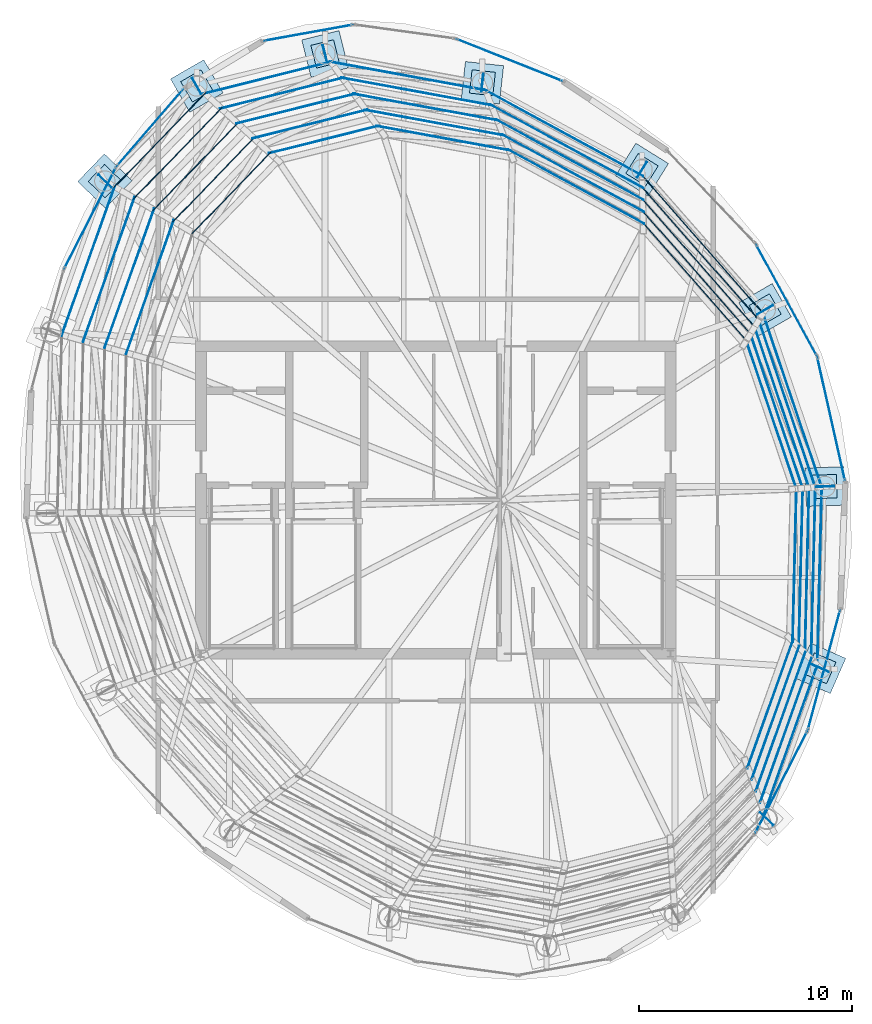
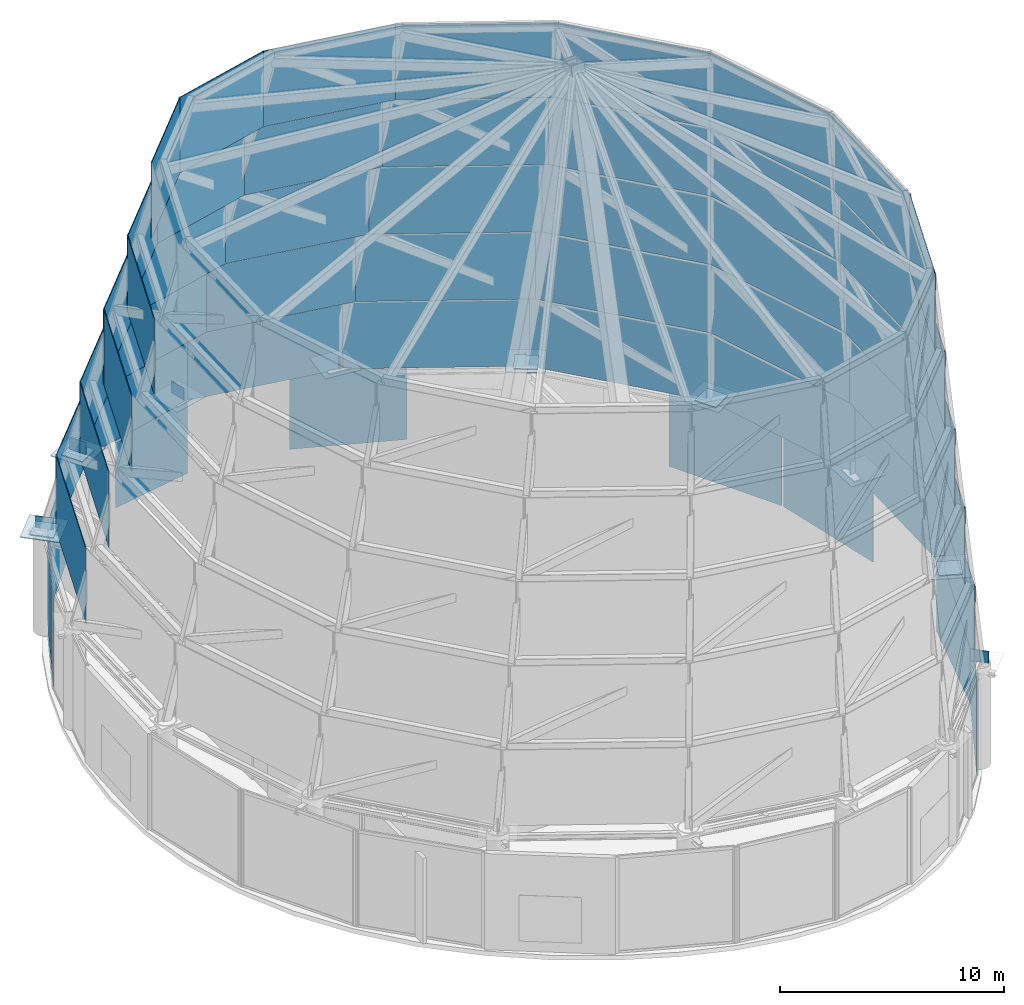
# One storey, part 37 of 40: 77 plates, 8 elements without a shape of their own.
"""IFC4 building model written with IfcOpenShell, lengths in metres."""

from ifc_helpers import new_model, si_unit, direction, frame, origin, origin_2d, place, context, subcontext, project, spatial, rectangle, extrude, material, layer, layer_set, type_object, element, aggregate, save


model = new_model("IFC4")

# Units and contexts
model_context = context("Model", 3, precision=1e-05, world=origin(), true_north=direction((0.0, 1.0)))
body_context = subcontext(model_context, "Body", "Model", "MODEL_VIEW")
ifc_project = project(units=[si_unit("LENGTHUNIT", "METRE"), si_unit("AREAUNIT", "SQUARE_METRE"), si_unit("VOLUMEUNIT", "CUBIC_METRE"), si_unit("PLANEANGLEUNIT", "RADIAN"), si_unit("MASSUNIT", "GRAM", prefix="KILO")], contexts=[model_context])

# Site, building, storey
site_placement = place(None, origin())
site = spatial("IfcSite", under=ifc_project, at=site_placement, CompositionType="ELEMENT")
building_placement = place(site_placement, origin())
building = spatial("IfcBuilding", under=site, at=building_placement, Name="Bramvorn Convention Spire", CompositionType="ELEMENT")
storey_placement = place(building_placement, frame((0.0, 0.0, 312.5)))
storey = spatial("IfcBuildingStorey", under=building, at=storey_placement, Name="L79", CompositionType="ELEMENT", Elevation=312.5)

# Plates
ifc_material_1 = material(Name="Steel CSA G40.21 Grade 350 (350W)", Category="steel")
ifc_layer_1 = layer(ifc_material_1, 0.044921875)
ifc_layer_set_1 = layer_set([ifc_layer_1], Name="Steel CSA G40.21 Grade 350 (350W) - PLT-NODE-CAP-45")
plate_type_1 = type_object("IfcPlateType", Name="PLT-NODE-CAP-45", PredefinedType="SHEET", material=ifc_layer_set_1)
for number, where, z_axis, x_axis, name in (
    (1, (56.023681640625, 18.116455078125, 5.5), (0.0, 0.0, 1.0), (0.91619221429, -0.400739100257, 0.0), "L79 CFT mega-column MC03 transition cap plate"),
    (2, (56.234619140625, 26.62939453125, 5.5), (0.0, 0.0, 1.0), (0.999404638135, 0.034501728572, 0.0), "L79 CFT mega-column MC04 transition cap plate"),
    (3, (53.4326171875, 34.909912109375, 5.5), (0.0, 0.0, 1.0), (0.86602578684, 0.499999336527, 0.0), "L79 CFT mega-column MC05 transition cap plate"),
    (4, (47.662353515625, 41.476806640625, 5.5), (0.0, 0.0, 1.0), (0.529581099859, 0.848259310984, 0.0), "L79 CFT mega-column MC06 transition cap plate"),
    (5, (40.1845703125, 45.55078125, 5.5), (0.0, 0.0, 1.0), (0.111043540524, 0.993815542295, 0.0), "L79 CFT mega-column MC07 transition cap plate"),
    (6, (32.8115234375, 46.90087890625, 5.5), (0.0, 0.0, 1.0), (-0.24093026589, 0.970542429252, 0.0), "L79 CFT mega-column MC08 transition cap plate"),
    (7, (26.800048828125, 45.39892578125, 5.5), (0.0, 0.0, 1.0), (-0.499999401612, 0.866025749263, 0.0), "L79 CFT mega-column MC09 transition cap plate"),
    (8, (22.49365234375, 40.94384765625, 5.5), (0.0, 0.0, 1.0), (-0.720048445725, 0.693923796832, 0.0), "L79 CFT mega-column MC10 transition cap plate"),
):
    element("IfcPlate", number, at=place(storey_placement, frame(where, z_axis=z_axis, x_axis=x_axis)), inside=storey, type_object=plate_type_1, Name=name, PredefinedType="SHEET", context=body_context, shape_type="SweptSolid", body=[
        extrude(rectangle(XDim=1.800048828125, YDim=1.800048828125, at=origin_2d()), origin(), (0.0, 0.0, 1.0), 0.044921875),
    ])
ifc_layer_2 = layer(ifc_material_1, 0.034912109375)
ifc_layer_set_2 = layer_set([ifc_layer_2], Name="Steel CSA G40.21 Grade 350 (350W) - PLT-NODE-GUSSET-35")
plate_type_2 = type_object("IfcPlateType", Name="PLT-NODE-GUSSET-35", PredefinedType="USERDEFINED", material=ifc_layer_set_2)
for number, where, z_axis, x_axis, name in (
    (9, (53.50634765625, 11.05615234375, 5.525146484375), (0.0, 0.0, 1.0), (0.720048445725, -0.693923796832, 0.0), "Crown spire leg 02 vertical gusset plate"),
    (10, (56.023681640625, 18.116455078125, 5.525146484375), (0.0, 0.0, 1.0), (0.91619221429, -0.400739100257, 0.0), "Crown spire leg 03 vertical gusset plate"),
    (11, (56.234619140625, 26.62939453125, 5.525146484375), (0.0, 0.0, 1.0), (0.999404638135, 0.034501728572, 0.0), "Crown spire leg 04 vertical gusset plate"),
    (12, (53.4326171875, 34.909912109375, 5.525146484375), (0.0, 0.0, 1.0), (0.86602578684, 0.499999336527, 0.0), "Crown spire leg 05 vertical gusset plate"),
    (13, (47.662353515625, 41.476806640625, 5.525146484375), (0.0, 0.0, 1.0), (0.529581099859, 0.848259310984, 0.0), "Crown spire leg 06 vertical gusset plate"),
    (14, (40.1845703125, 45.55078125, 5.525146484375), (0.0, 0.0, 1.0), (0.111043540524, 0.993815542295, 0.0), "Crown spire leg 07 vertical gusset plate"),
    (15, (32.8115234375, 46.90087890625, 5.525146484375), (0.0, 0.0, 1.0), (-0.24093026589, 0.970542429252, 0.0), "Crown spire leg 08 vertical gusset plate"),
    (16, (26.800048828125, 45.39892578125, 5.525146484375), (0.0, 0.0, 1.0), (-0.499999401612, 0.866025749263, 0.0), "Crown spire leg 09 vertical gusset plate"),
    (17, (22.49365234375, 40.94384765625, 5.525146484375), (0.0, 0.0, 1.0), (-0.720048445725, 0.693923796832, 0.0), "Crown spire leg 10 vertical gusset plate"),
):
    element("IfcPlate", number, at=place(storey_placement, frame(where, z_axis=z_axis, x_axis=x_axis)), inside=storey, type_object=plate_type_2, Name=name, ObjectType="GUSSET PLATE", PredefinedType="USERDEFINED", context=body_context, shape_type="SweptSolid", body=[
        extrude(rectangle(XDim=0.85009765625, YDim=0.034912109375, at=origin_2d()), origin(), (0.0, 0.0, 1.0), 0.64990234375),
    ])
ifc_layer_3 = layer(ifc_material_1, 0.06005859375)
ifc_layer_set_3 = layer_set([ifc_layer_3], Name="Steel CSA G40.21 Grade 350 (350W) - PLT-SPIRE-BASE-60")
plate_type_3 = type_object("IfcPlateType", Name="PLT-SPIRE-BASE-60", PredefinedType="USERDEFINED", material=ifc_layer_set_3)
for number, where, z_axis, x_axis, name in (
    (18, (56.023681640625, 18.116455078125, 5.43994140625), (0.0, 0.0, 1.0), (0.91619221429, -0.400739100257, 0.0), "Crown spire leg 03 anchored base plate"),
    (19, (56.234619140625, 26.62939453125, 5.43994140625), (0.0, 0.0, 1.0), (0.999404638135, 0.034501728572, 0.0), "Crown spire leg 04 anchored base plate"),
    (20, (53.4326171875, 34.909912109375, 5.43994140625), (0.0, 0.0, 1.0), (0.86602578684, 0.499999336527, 0.0), "Crown spire leg 05 anchored base plate"),
    (21, (47.662353515625, 41.476806640625, 5.43994140625), (0.0, 0.0, 1.0), (0.529581099859, 0.848259310984, 0.0), "Crown spire leg 06 anchored base plate"),
    (22, (40.1845703125, 45.55078125, 5.43994140625), (0.0, 0.0, 1.0), (0.111043540524, 0.993815542295, 0.0), "Crown spire leg 07 anchored base plate"),
    (23, (32.8115234375, 46.90087890625, 5.43994140625), (0.0, 0.0, 1.0), (-0.24093026589, 0.970542429252, 0.0), "Crown spire leg 08 anchored base plate"),
    (24, (26.800048828125, 45.39892578125, 5.43994140625), (0.0, 0.0, 1.0), (-0.499999401612, 0.866025749263, 0.0), "Crown spire leg 09 anchored base plate"),
    (25, (22.49365234375, 40.94384765625, 5.43994140625), (0.0, 0.0, 1.0), (-0.720048445725, 0.693923796832, 0.0), "Crown spire leg 10 anchored base plate"),
):
    element("IfcPlate", number, at=place(storey_placement, frame(where, z_axis=z_axis, x_axis=x_axis)), inside=storey, type_object=plate_type_3, Name=name, ObjectType="BASE PLATE", PredefinedType="USERDEFINED", context=body_context, shape_type="SweptSolid", body=[
        extrude(rectangle(XDim=1.10009765625, YDim=1.10009765625, at=origin_2d()), origin(), (0.0, 0.0, 1.0), 0.06005859375),
    ])

# Curtain wall, plate
ifc_material_2 = material(Name="Anodised Bronze Unitised Curtain Wall", Category="aluminium")
ifc_layer_4 = layer(ifc_material_2, 0.199951171875)
ifc_layer_set_4 = layer_set([ifc_layer_4], Name="Anodised Bronze Unitised Curtain Wall - CW-CROWN-SPIRE")
curtain_wall_type = type_object("IfcCurtainWallType", Name="CW-CROWN-SPIRE", PredefinedType="USERDEFINED", material=ifc_layer_set_4)
curtain_wall_1_placement = place(storey_placement, origin())
curtain_wall_1 = element("IfcCurtainWall", 26, at=curtain_wall_1_placement, inside=storey, type_object=curtain_wall_type, Name="L79 fritted glass curtain wall 03", ObjectType="UNITISED CURTAIN WALL", PredefinedType="USERDEFINED")
ifc_material_3 = material(Name="Laminated Low-E Glass (Triple IGU High-VLT Low-Iron 22%)", Category="glass")
ifc_layer_5 = layer(ifc_material_3, 0.0419921875)
ifc_layer_set_5 = layer_set([ifc_layer_5], Name="Laminated Low-E Glass (Triple IGU High-VLT Low-Iron 22%) - PNL-IGU-4")
plate_type_4 = type_object("IfcPlateType", Name="PNL-IGU-4", PredefinedType="CURTAIN_PANEL", material=ifc_layer_set_5)
plate_1_placement = place(storey_placement, frame((54.194091796875, 12.786865234375, 0.06005859375), z_axis=(0.0, 0.0, 1.0), x_axis=(-0.454964324607, -0.890509664931, 0.0)))
plate_1 = element("IfcPlate", 27, at=plate_1_placement, type_object=plate_type_4, Name="CW6 panel 1.1", PredefinedType="CURTAIN_PANEL", context=body_context, shape_type="SweptSolid", body=[
    extrude(rectangle(XDim=5.3076171875, YDim=0.028076171875, at=origin_2d()), origin(), (0.0, 0.0, 1.0), 5.1298828125),
])
aggregate(curtain_wall_1, [plate_1])

curtain_wall_2_placement = place(storey_placement, origin())
curtain_wall_2 = element("IfcCurtainWall", 28, at=curtain_wall_2_placement, inside=storey, type_object=curtain_wall_type, Name="L79 fritted glass curtain wall 04", ObjectType="UNITISED CURTAIN WALL", PredefinedType="USERDEFINED")
plate_2_placement = place(storey_placement, frame((56.19091796875, 18.03369140625, 0.06005859375), z_axis=(0.0, 0.0, 1.0), x_axis=(-0.259964908545, -0.965618064415, 0.0)))
plate_2 = element("IfcPlate", 29, at=plate_2_placement, type_object=plate_type_4, Name="CW6 panel 1.1", PredefinedType="CURTAIN_PANEL", context=body_context, shape_type="SweptSolid", body=[
    extrude(rectangle(XDim=5.741943359375, YDim=0.028076171875, at=origin_2d()), origin(), (0.0, 0.0, 1.0), 5.1298828125),
])
aggregate(curtain_wall_2, [plate_2])

curtain_wall_3_placement = place(storey_placement, origin())
curtain_wall_3 = element("IfcCurtainWall", 30, at=curtain_wall_3_placement, inside=storey, type_object=curtain_wall_type, Name="L79 fritted glass curtain wall 06", ObjectType="UNITISED CURTAIN WALL", PredefinedType="USERDEFINED")
plate_3_placement = place(storey_placement, frame((56.5263671875, 29.803955078125, 0.06005859375), z_axis=(0.0, 0.0, 1.0), x_axis=(0.219355690041, -0.975644956553, 0.0)))
plate_3 = element("IfcPlate", 31, at=plate_3_placement, type_object=plate_type_4, Name="CW6 panel 1.1", PredefinedType="CURTAIN_PANEL", context=body_context, shape_type="SweptSolid", body=[
    extrude(rectangle(XDim=5.8857421875, YDim=0.028076171875, at=origin_2d()), origin(), (0.0, 0.0, 1.0), 5.1298828125),
])
aggregate(curtain_wall_3, [plate_3])

curtain_wall_4_placement = place(storey_placement, origin())
curtain_wall_4 = element("IfcCurtainWall", 32, at=curtain_wall_4_placement, inside=storey, type_object=curtain_wall_type, Name="L79 fritted glass curtain wall 07", ObjectType="UNITISED CURTAIN WALL", PredefinedType="USERDEFINED")
plate_4_placement = place(storey_placement, frame((54.4287109375, 35.36962890625, 0.06005859375), z_axis=(0.0, 0.0, 1.0), x_axis=(0.479139090174, -0.87773898869, 0.0)))
plate_4 = element("IfcPlate", 33, at=plate_4_placement, type_object=plate_type_4, Name="CW6 panel 1.1", PredefinedType="CURTAIN_PANEL", context=body_context, shape_type="SweptSolid", body=[
    extrude(rectangle(XDim=5.8857421875, YDim=0.028076171875, at=origin_2d()), origin(), (0.0, 0.0, 1.0), 5.1298828125),
])
aggregate(curtain_wall_4, [plate_4])

curtain_wall_5_placement = place(storey_placement, origin())
curtain_wall_5 = element("IfcCurtainWall", 34, at=curtain_wall_5_placement, inside=storey, type_object=curtain_wall_type, Name="L79 fritted glass curtain wall 10", ObjectType="UNITISED CURTAIN WALL", PredefinedType="USERDEFINED")
plate_5_placement = place(storey_placement, frame((41.4453125, 46.61474609375, 0.06005859375), z_axis=(0.0, 0.0, 1.0), x_axis=(0.929532614577, -0.368739906217, 0.0)))
plate_5 = element("IfcPlate", 35, at=plate_5_placement, type_object=plate_type_4, Name="CW6 panel 1.1", PredefinedType="CURTAIN_PANEL", context=body_context, shape_type="SweptSolid", body=[
    extrude(rectangle(XDim=5.3076171875, YDim=0.028076171875, at=origin_2d()), origin(), (0.0, 0.0, 1.0), 5.1298828125),
])
aggregate(curtain_wall_5, [plate_5])

curtain_wall_6_placement = place(storey_placement, origin())
curtain_wall_6 = element("IfcCurtainWall", 36, at=curtain_wall_6_placement, inside=storey, type_object=curtain_wall_type, Name="L79 fritted glass curtain wall 12", ObjectType="UNITISED CURTAIN WALL", PredefinedType="USERDEFINED")
plate_6_placement = place(storey_placement, frame((32.026611328125, 47.88818359375, 0.06005859375), z_axis=(0.0, 0.0, 1.0), x_axis=(0.984096720996, 0.17763345328, 0.0)))
plate_6 = element("IfcPlate", 37, at=plate_6_placement, type_object=plate_type_4, Name="CW6 panel 1.1", PredefinedType="CURTAIN_PANEL", context=body_context, shape_type="SweptSolid", body=[
    extrude(rectangle(XDim=4.210205078125, YDim=0.028076171875, at=origin_2d()), origin(), (0.0, 0.0, 1.0), 5.1298828125),
])
aggregate(curtain_wall_6, [plate_6])

curtain_wall_7_placement = place(storey_placement, origin())
curtain_wall_7 = element("IfcCurtainWall", 38, at=curtain_wall_7_placement, inside=storey, type_object=curtain_wall_type, Name="L79 fritted glass curtain wall 14", ObjectType="UNITISED CURTAIN WALL", PredefinedType="USERDEFINED")
plate_7_placement = place(storey_placement, frame((24.61376953125, 43.449462890625, 0.06005859375), z_axis=(0.0, 0.0, 1.0), x_axis=(0.6540397527, 0.756460178654, 0.0)))
plate_7 = element("IfcPlate", 39, at=plate_7_placement, type_object=plate_type_4, Name="CW6 panel 1.1", PredefinedType="CURTAIN_PANEL", context=body_context, shape_type="SweptSolid", body=[
    extrude(rectangle(XDim=4.690673828125, YDim=0.028076171875, at=origin_2d()), origin(), (0.0, 0.0, 1.0), 5.1298828125),
])
aggregate(curtain_wall_7, [plate_7])

curtain_wall_8_placement = place(storey_placement, origin())
curtain_wall_8 = element("IfcCurtainWall", 40, at=curtain_wall_8_placement, inside=storey, type_object=curtain_wall_type, Name="L79 fritted glass curtain wall 15", ObjectType="UNITISED CURTAIN WALL", PredefinedType="USERDEFINED")
plate_8_placement = place(storey_placement, frame((21.805908203125, 39.213134765625, 0.06005859375), z_axis=(0.0, 0.0, 1.0), x_axis=(0.454964324607, 0.890509664931, 0.0)))
plate_8 = element("IfcPlate", 41, at=plate_8_placement, type_object=plate_type_4, Name="CW6 panel 1.1", PredefinedType="CURTAIN_PANEL", context=body_context, shape_type="SweptSolid", body=[
    extrude(rectangle(XDim=5.3076171875, YDim=0.028076171875, at=origin_2d()), origin(), (0.0, 0.0, 1.0), 5.1298828125),
])
aggregate(curtain_wall_8, [plate_8])

# Plates
ifc_material_4 = material(Name="Laminated Low-E Glass (Crown Laminated Ceramic-Printed Spandrel Glass)", Category="glass")
ifc_layer_6 = layer(ifc_material_4, 0.031982421875)
ifc_layer_set_6 = layer_set([ifc_layer_6], Name="Laminated Low-E Glass (Crown Laminated Ceramic-Printed Spandrel Glass) - PNL-IGU-6")
plate_type_5 = type_object("IfcPlateType", Name="PNL-IGU-6", PredefinedType="SHEET", material=ifc_layer_set_6)
plate_9_placement = place(storey_placement, frame((54.643310546875, 14.791748046875, 5.43994140625), z_axis=(0.0, 0.0, 1.0), x_axis=(0.335831158114, 0.941922201267, 0.0)))
element("IfcPlate", 42, at=plate_9_placement, inside=storey, type_object=plate_type_5, Name="Crown spire ceramic-printed glass cladding panel T1-02", PredefinedType="SHEET", context=body_context, shape_type="SweptSolid", body=[
    extrude(rectangle(XDim=7.480712890625, YDim=0.035888671875, at=origin_2d()), origin(), (0.0, 0.0, 1.0), 4.1201171875),
])
plate_10_placement = place(storey_placement, frame((55.98291015625, 22.438232421875, 5.43994140625), z_axis=(0.0, 0.0, 1.0), x_axis=(0.024771845102, 0.999693130761, 0.0)))
element("IfcPlate", 43, at=plate_10_placement, inside=storey, type_object=plate_type_5, Name="Crown spire ceramic-printed glass cladding panel T1-03", PredefinedType="SHEET", context=body_context, shape_type="SweptSolid", body=[
    extrude(rectangle(XDim=8.482421875, YDim=0.035888671875, at=origin_2d()), origin(), (0.0, 0.0, 1.0), 4.1201171875),
])
for number, where, z_axis, x_axis, name in (
    (44, (54.710693359375, 30.683837890625, 5.43994140625), (0.0, 0.0, 1.0), (-0.320535231981, 0.947236594024, 0.0), "Crown spire ceramic-printed glass cladding panel T1-04"),
    (45, (50.501708984375, 37.973876953125, 5.43994140625), (0.0, 0.0, 1.0), (-0.660071782704, 0.751202530399, 0.0), "Crown spire ceramic-printed glass cladding panel T1-05"),
):
    element("IfcPlate", number, at=place(storey_placement, frame(where, z_axis=z_axis, x_axis=x_axis)), inside=storey, type_object=plate_type_5, Name=name, PredefinedType="SHEET", context=body_context, shape_type="SweptSolid", body=[
        extrude(rectangle(XDim=8.704345703125, YDim=0.035888671875, at=origin_2d()), origin(), (0.0, 0.0, 1.0), 4.1201171875),
    ])
plate_11_placement = place(storey_placement, frame((43.996826171875, 43.198486328125, 5.43994140625), z_axis=(0.0, 0.0, 1.0), x_axis=(-0.878133563971, 0.478415555587, 0.0)))
element("IfcPlate", 46, at=plate_11_placement, inside=storey, type_object=plate_type_5, Name="Crown spire ceramic-printed glass cladding panel T1-06", PredefinedType="SHEET", context=body_context, shape_type="SweptSolid", body=[
    extrude(rectangle(XDim=8.482421875, YDim=0.035888671875, at=origin_2d()), origin(), (0.0, 0.0, 1.0), 4.1201171875),
])
plate_12_placement = place(storey_placement, frame((36.705078125, 45.86181640625, 5.43994140625), z_axis=(0.0, 0.0, 1.0), x_axis=(-0.983644809557, 0.180119095686, 0.0)))
element("IfcPlate", 47, at=plate_12_placement, inside=storey, type_object=plate_type_5, Name="Crown spire ceramic-printed glass cladding panel T1-07", PredefinedType="SHEET", context=body_context, shape_type="SweptSolid", body=[
    extrude(rectangle(XDim=7.480712890625, YDim=0.035888671875, at=origin_2d()), origin(), (0.0, 0.0, 1.0), 4.1201171875),
])
for number, where, z_axis, x_axis, name in (
    (48, (30.13330078125, 45.787353515625, 5.43994140625), (0.0, 0.0, 1.0), (-0.970178258818, -0.242392545506, 0.0), "Crown spire ceramic-printed glass cladding panel T1-08"),
    (49, (25.067138671875, 42.8623046875, 5.43994140625), (0.0, 0.0, 1.0), (-0.694999441218, -0.719010275801, 0.0), "Crown spire ceramic-printed glass cladding panel T1-09"),
):
    element("IfcPlate", number, at=place(storey_placement, frame(where, z_axis=z_axis, x_axis=x_axis)), inside=storey, type_object=plate_type_5, Name=name, PredefinedType="SHEET", context=body_context, shape_type="SweptSolid", body=[
        extrude(rectangle(XDim=6.204833984375, YDim=0.035888671875, at=origin_2d()), origin(), (0.0, 0.0, 1.0), 4.1201171875),
    ])
plate_13_placement = place(storey_placement, frame((21.716796875, 37.208251953125, 5.43994140625), z_axis=(0.0, 0.0, 1.0), x_axis=(-0.335831158114, -0.941922201267, 0.0)))
element("IfcPlate", 50, at=plate_13_placement, inside=storey, type_object=plate_type_5, Name="Crown spire ceramic-printed glass cladding panel T1-10", PredefinedType="SHEET", context=body_context, shape_type="SweptSolid", body=[
    extrude(rectangle(XDim=7.480712890625, YDim=0.035888671875, at=origin_2d()), origin(), (0.0, 0.0, 1.0), 4.1201171875),
])
plate_14_placement = place(storey_placement, frame((54.399658203125, 15.20263671875, 9.43994140625), z_axis=(0.0, 0.0, 1.0), x_axis=(0.335835160342, 0.941920774311, 0.0)))
element("IfcPlate", 51, at=plate_14_placement, inside=storey, type_object=plate_type_5, Name="Crown spire ceramic-printed glass cladding panel T2-02", PredefinedType="SHEET", context=body_context, shape_type="SweptSolid", body=[
    extrude(rectangle(XDim=7.210693359375, YDim=0.035888671875, at=origin_2d()), origin(), (0.0, 0.0, 1.0), 4.1201171875),
])
plate_15_placement = place(storey_placement, frame((55.690185546875, 22.56884765625, 9.43994140625), z_axis=(0.0, 0.0, 1.0), x_axis=(0.024771058845, 0.999693150243, 0.0)))
element("IfcPlate", 52, at=plate_15_placement, inside=storey, type_object=plate_type_5, Name="Crown spire ceramic-printed glass cladding panel T2-03", PredefinedType="SHEET", context=body_context, shape_type="SweptSolid", body=[
    extrude(rectangle(XDim=8.17578125, YDim=0.035888671875, at=origin_2d()), origin(), (0.0, 0.0, 1.0), 4.1201171875),
])
for number, where, z_axis, x_axis, name in (
    (53, (54.464599609375, 30.51220703125, 9.43994140625), (0.0, 0.0, 1.0), (-0.320532411966, 0.947237548284, 0.0), "Crown spire ceramic-printed glass cladding panel T2-04"),
    (54, (50.409912109375, 37.534912109375, 9.43994140625), (0.0, 0.0, 1.0), (-0.66007325463, 0.751201237034, 0.0), "Crown spire ceramic-printed glass cladding panel T2-05"),
):
    element("IfcPlate", number, at=place(storey_placement, frame(where, z_axis=z_axis, x_axis=x_axis)), inside=storey, type_object=plate_type_5, Name=name, PredefinedType="SHEET", context=body_context, shape_type="SweptSolid", body=[
        extrude(rectangle(XDim=8.3896484375, YDim=0.035888671875, at=origin_2d()), origin(), (0.0, 0.0, 1.0), 4.1201171875),
    ])
plate_16_placement = place(storey_placement, frame((44.1435546875, 42.568115234375, 9.43994140625), z_axis=(0.0, 0.0, 1.0), x_axis=(-0.878135507493, 0.478411988228, 0.0)))
element("IfcPlate", 55, at=plate_16_placement, inside=storey, type_object=plate_type_5, Name="Crown spire ceramic-printed glass cladding panel T2-06", PredefinedType="SHEET", context=body_context, shape_type="SweptSolid", body=[
    extrude(rectangle(XDim=8.17578125, YDim=0.035888671875, at=origin_2d()), origin(), (0.0, 0.0, 1.0), 4.1201171875),
])
plate_17_placement = place(storey_placement, frame((37.119140625, 45.1337890625, 9.43994140625), z_axis=(0.0, 0.0, 1.0), x_axis=(-0.983644619648, 0.180120132795, 0.0)))
element("IfcPlate", 56, at=plate_17_placement, inside=storey, type_object=plate_type_5, Name="Crown spire ceramic-printed glass cladding panel T2-07", PredefinedType="SHEET", context=body_context, shape_type="SweptSolid", body=[
    extrude(rectangle(XDim=7.210693359375, YDim=0.035888671875, at=origin_2d()), origin(), (0.0, 0.0, 1.0), 4.1201171875),
])
for number, where, z_axis, x_axis, name in (
    (57, (30.7880859375, 45.061767578125, 9.43994140625), (0.0, 0.0, 1.0), (-0.970179619152, -0.242387100691, 0.0), "Crown spire ceramic-printed glass cladding panel T2-08"),
    (58, (25.907958984375, 42.244140625, 9.43994140625), (0.0, 0.0, 1.0), (-0.694994610402, -0.719014945263, 0.0), "Crown spire ceramic-printed glass cladding panel T2-09"),
):
    element("IfcPlate", number, at=place(storey_placement, frame(where, z_axis=z_axis, x_axis=x_axis)), inside=storey, type_object=plate_type_5, Name=name, PredefinedType="SHEET", context=body_context, shape_type="SweptSolid", body=[
        extrude(rectangle(XDim=5.981689453125, YDim=0.035888671875, at=origin_2d()), origin(), (0.0, 0.0, 1.0), 4.1201171875),
    ])
plate_18_placement = place(storey_placement, frame((22.680419921875, 36.79736328125, 9.43994140625), z_axis=(0.0, 0.0, 1.0), x_axis=(-0.335835160342, -0.941920774311, 0.0)))
element("IfcPlate", 59, at=plate_18_placement, inside=storey, type_object=plate_type_5, Name="Crown spire ceramic-printed glass cladding panel T2-10", PredefinedType="SHEET", context=body_context, shape_type="SweptSolid", body=[
    extrude(rectangle(XDim=7.210693359375, YDim=0.035888671875, at=origin_2d()), origin(), (0.0, 0.0, 1.0), 4.1201171875),
])
plate_19_placement = place(storey_placement, frame((54.15625, 15.613525390625, 13.43994140625), z_axis=(0.0, 0.0, 1.0), x_axis=(0.335837160435, 0.941920061189, 0.0)))
element("IfcPlate", 60, at=plate_19_placement, inside=storey, type_object=plate_type_5, Name="Crown spire ceramic-printed glass cladding panel T3-02", PredefinedType="SHEET", context=body_context, shape_type="SweptSolid", body=[
    extrude(rectangle(XDim=6.94091796875, YDim=0.035888671875, at=origin_2d()), origin(), (0.0, 0.0, 1.0), 4.1201171875),
])
plate_20_placement = place(storey_placement, frame((55.3974609375, 22.699462890625, 13.43994140625), z_axis=(0.0, 0.0, 1.0), x_axis=(0.024770210369, 0.999693171267, 0.0)))
element("IfcPlate", 61, at=plate_20_placement, inside=storey, type_object=plate_type_5, Name="Crown spire ceramic-printed glass cladding panel T3-03", PredefinedType="SHEET", context=body_context, shape_type="SweptSolid", body=[
    extrude(rectangle(XDim=7.869140625, YDim=0.035888671875, at=origin_2d()), origin(), (0.0, 0.0, 1.0), 4.1201171875),
])
for number, where, z_axis, x_axis, name in (
    (62, (54.218505859375, 30.340576171875, 13.43994140625), (0.0, 0.0, 1.0), (-0.32052936881, 0.947238578042, 0.0), "Crown spire ceramic-printed glass cladding panel T3-04"),
    (63, (50.318115234375, 37.095947265625, 13.43994140625), (0.0, 0.0, 1.0), (-0.660074843005, 0.751199841341, 0.0), "Crown spire ceramic-printed glass cladding panel T3-05"),
):
    element("IfcPlate", number, at=place(storey_placement, frame(where, z_axis=z_axis, x_axis=x_axis)), inside=storey, type_object=plate_type_5, Name=name, PredefinedType="SHEET", context=body_context, shape_type="SweptSolid", body=[
        extrude(rectangle(XDim=8.074951171875, YDim=0.035888671875, at=origin_2d()), origin(), (0.0, 0.0, 1.0), 4.1201171875),
    ])
plate_21_placement = place(storey_placement, frame((44.290283203125, 41.9375, 13.43994140625), z_axis=(0.0, 0.0, 1.0), x_axis=(-0.878137604786, 0.47840813858, 0.0)))
element("IfcPlate", 64, at=plate_21_placement, inside=storey, type_object=plate_type_5, Name="Crown spire ceramic-printed glass cladding panel T3-06", PredefinedType="SHEET", context=body_context, shape_type="SweptSolid", body=[
    extrude(rectangle(XDim=7.869140625, YDim=0.035888671875, at=origin_2d()), origin(), (0.0, 0.0, 1.0), 4.1201171875),
])
plate_22_placement = place(storey_placement, frame((37.533203125, 44.405517578125, 13.43994140625), z_axis=(0.0, 0.0, 1.0), x_axis=(-0.98364441471, 0.180121251967, 0.0)))
element("IfcPlate", 65, at=plate_22_placement, inside=storey, type_object=plate_type_5, Name="Crown spire ceramic-printed glass cladding panel T3-07", PredefinedType="SHEET", context=body_context, shape_type="SweptSolid", body=[
    extrude(rectangle(XDim=6.94091796875, YDim=0.035888671875, at=origin_2d()), origin(), (0.0, 0.0, 1.0), 4.1201171875),
])
for number, where, z_axis, x_axis, name in (
    (66, (31.443359375, 44.33642578125, 13.43994140625), (0.0, 0.0, 1.0), (-0.970181087085, -0.242381225063, 0.0), "Crown spire ceramic-printed glass cladding panel T3-08"),
    (67, (26.74853515625, 41.6259765625, 13.43994140625), (0.0, 0.0, 1.0), (-0.694993828512, -0.719015701031, 0.0), "Crown spire ceramic-printed glass cladding panel T3-09"),
):
    element("IfcPlate", number, at=place(storey_placement, frame(where, z_axis=z_axis, x_axis=x_axis)), inside=storey, type_object=plate_type_5, Name=name, PredefinedType="SHEET", context=body_context, shape_type="SweptSolid", body=[
        extrude(rectangle(XDim=5.758544921875, YDim=0.035888671875, at=origin_2d()), origin(), (0.0, 0.0, 1.0), 4.1201171875),
    ])
plate_23_placement = place(storey_placement, frame((23.643798828125, 36.386474609375, 13.43994140625), z_axis=(0.0, 0.0, 1.0), x_axis=(-0.335837160435, -0.941920061189, 0.0)))
element("IfcPlate", 68, at=plate_23_placement, inside=storey, type_object=plate_type_5, Name="Crown spire ceramic-printed glass cladding panel T3-10", PredefinedType="SHEET", context=body_context, shape_type="SweptSolid", body=[
    extrude(rectangle(XDim=6.94091796875, YDim=0.035888671875, at=origin_2d()), origin(), (0.0, 0.0, 1.0), 4.1201171875),
])
plate_24_placement = place(storey_placement, frame((53.91259765625, 16.0244140625, 17.43994140625), z_axis=(0.0, 0.0, 1.0), x_axis=(0.335832553872, 0.941921703625, 0.0)))
element("IfcPlate", 69, at=plate_24_placement, inside=storey, type_object=plate_type_5, Name="Crown spire ceramic-printed glass cladding panel T4-02", PredefinedType="SHEET", context=body_context, shape_type="SweptSolid", body=[
    extrude(rectangle(XDim=6.671142578125, YDim=0.035888671875, at=origin_2d()), origin(), (0.0, 0.0, 1.0), 4.1201171875),
])
plate_25_placement = place(storey_placement, frame((55.10498046875, 22.830078125, 17.43994140625), z_axis=(0.0, 0.0, 1.0), x_axis=(0.024769292015, 0.999693194022, 0.0)))
element("IfcPlate", 70, at=plate_25_placement, inside=storey, type_object=plate_type_5, Name="Crown spire ceramic-printed glass cladding panel T4-03", PredefinedType="SHEET", context=body_context, shape_type="SweptSolid", body=[
    extrude(rectangle(XDim=7.562744140625, YDim=0.035888671875, at=origin_2d()), origin(), (0.0, 0.0, 1.0), 4.1201171875),
])
for number, where, z_axis, x_axis, name in (
    (71, (53.97265625, 30.168701171875, 17.43994140625), (0.0, 0.0, 1.0), (-0.320531946876, 0.947237705664, 0.0), "Crown spire ceramic-printed glass cladding panel T4-04"),
    (72, (50.2265625, 36.656982421875, 17.43994140625), (0.0, 0.0, 1.0), (-0.660076114265, 0.751198724292, 0.0), "Crown spire ceramic-printed glass cladding panel T4-05"),
):
    element("IfcPlate", number, at=place(storey_placement, frame(where, z_axis=z_axis, x_axis=x_axis)), inside=storey, type_object=plate_type_5, Name=name, PredefinedType="SHEET", context=body_context, shape_type="SweptSolid", body=[
        extrude(rectangle(XDim=7.76025390625, YDim=0.035888671875, at=origin_2d()), origin(), (0.0, 0.0, 1.0), 4.1201171875),
    ])
plate_26_placement = place(storey_placement, frame((44.43701171875, 41.30712890625, 17.43994140625), z_axis=(0.0, 0.0, 1.0), x_axis=(-0.878134230253, 0.478414332623, 0.0)))
element("IfcPlate", 73, at=plate_26_placement, inside=storey, type_object=plate_type_5, Name="Crown spire ceramic-printed glass cladding panel T4-06", PredefinedType="SHEET", context=body_context, shape_type="SweptSolid", body=[
    extrude(rectangle(XDim=7.562744140625, YDim=0.035888671875, at=origin_2d()), origin(), (0.0, 0.0, 1.0), 4.1201171875),
])
plate_27_placement = place(storey_placement, frame((37.947265625, 43.677490234375, 17.43994140625), z_axis=(0.0, 0.0, 1.0), x_axis=(-0.983644440507, 0.180121111087, 0.0)))
element("IfcPlate", 74, at=plate_27_placement, inside=storey, type_object=plate_type_5, Name="Crown spire ceramic-printed glass cladding panel T4-07", PredefinedType="SHEET", context=body_context, shape_type="SweptSolid", body=[
    extrude(rectangle(XDim=6.671142578125, YDim=0.035888671875, at=origin_2d()), origin(), (0.0, 0.0, 1.0), 4.1201171875),
])
plate_28_placement = place(storey_placement, frame((32.09814453125, 43.611083984375, 17.43994140625), z_axis=(0.0, 0.0, 1.0), x_axis=(-0.970177791239, -0.242394416987, 0.0)))
element("IfcPlate", 75, at=plate_28_placement, inside=storey, type_object=plate_type_5, Name="Crown spire ceramic-printed glass cladding panel T4-08", PredefinedType="SHEET", context=body_context, shape_type="SweptSolid", body=[
    extrude(rectangle(XDim=5.53564453125, YDim=0.035888671875, at=origin_2d()), origin(), (0.0, 0.0, 1.0), 4.1201171875),
])
plate_29_placement = place(storey_placement, frame((27.58935546875, 41.0078125, 17.43994140625), z_axis=(0.0, 0.0, 1.0), x_axis=(-0.695002369004, -0.719007445774, 0.0)))
element("IfcPlate", 76, at=plate_29_placement, inside=storey, type_object=plate_type_5, Name="Crown spire ceramic-printed glass cladding panel T4-09", PredefinedType="SHEET", context=body_context, shape_type="SweptSolid", body=[
    extrude(rectangle(XDim=5.535400390625, YDim=0.035888671875, at=origin_2d()), origin(), (0.0, 0.0, 1.0), 4.1201171875),
])
plate_30_placement = place(storey_placement, frame((24.607421875, 35.9755859375, 17.43994140625), z_axis=(0.0, 0.0, 1.0), x_axis=(-0.335832553872, -0.941921703625, 0.0)))
element("IfcPlate", 77, at=plate_30_placement, inside=storey, type_object=plate_type_5, Name="Crown spire ceramic-printed glass cladding panel T4-10", PredefinedType="SHEET", context=body_context, shape_type="SweptSolid", body=[
    extrude(rectangle(XDim=6.671142578125, YDim=0.035888671875, at=origin_2d()), origin(), (0.0, 0.0, 1.0), 4.1201171875),
])
plate_31_placement = place(storey_placement, frame((53.669189453125, 16.435302734375, 21.43994140625), z_axis=(0.0, 0.0, 1.0), x_axis=(0.335837131846, 0.941920071382, 0.0)))
element("IfcPlate", 78, at=plate_31_placement, inside=storey, type_object=plate_type_5, Name="Crown spire ceramic-printed glass cladding panel T5-02", PredefinedType="SHEET", context=body_context, shape_type="SweptSolid", body=[
    extrude(rectangle(XDim=6.4013671875, YDim=0.035888671875, at=origin_2d()), origin(), (0.0, 0.0, 1.0), 4.1201171875),
])
plate_32_placement = place(storey_placement, frame((54.812255859375, 22.960693359375, 21.43994140625), z_axis=(0.0, 0.0, 1.0), x_axis=(0.02476829476, 0.99969321873, 0.0)))
element("IfcPlate", 79, at=plate_32_placement, inside=storey, type_object=plate_type_5, Name="Crown spire ceramic-printed glass cladding panel T5-03", PredefinedType="SHEET", context=body_context, shape_type="SweptSolid", body=[
    extrude(rectangle(XDim=7.256103515625, YDim=0.035888671875, at=origin_2d()), origin(), (0.0, 0.0, 1.0), 4.1201171875),
])
for number, where, z_axis, x_axis, name in (
    (80, (53.7265625, 29.9970703125, 21.43994140625), (0.0, 0.0, 1.0), (-0.320534746425, 0.947236758332, 0.0), "Crown spire ceramic-printed glass cladding panel T5-04"),
    (81, (50.134765625, 36.218017578125, 21.43994140625), (0.0, 0.0, 1.0), (-0.660074110367, 0.751200485105, 0.0), "Crown spire ceramic-printed glass cladding panel T5-05"),
):
    element("IfcPlate", number, at=place(storey_placement, frame(where, z_axis=z_axis, x_axis=x_axis)), inside=storey, type_object=plate_type_5, Name=name, PredefinedType="SHEET", context=body_context, shape_type="SweptSolid", body=[
        extrude(rectangle(XDim=7.445556640625, YDim=0.035888671875, at=origin_2d()), origin(), (0.0, 0.0, 1.0), 4.1201171875),
    ])
plate_33_placement = place(storey_placement, frame((44.583740234375, 40.676513671875, 21.43994140625), z_axis=(0.0, 0.0, 1.0), x_axis=(-0.878133509337, 0.478415655867, 0.0)))
element("IfcPlate", 82, at=plate_33_placement, inside=storey, type_object=plate_type_5, Name="Crown spire ceramic-printed glass cladding panel T5-06", PredefinedType="SHEET", context=body_context, shape_type="SweptSolid", body=[
    extrude(rectangle(XDim=7.256103515625, YDim=0.035888671875, at=origin_2d()), origin(), (0.0, 0.0, 1.0), 4.1201171875),
])
plate_34_placement = place(storey_placement, frame((38.361328125, 42.94921875, 21.43994140625), z_axis=(0.0, 0.0, 1.0), x_axis=(-0.983645878822, 0.180113256248, 0.0)))
element("IfcPlate", 83, at=plate_34_placement, inside=storey, type_object=plate_type_5, Name="Crown spire ceramic-printed glass cladding panel T5-07", PredefinedType="SHEET", context=body_context, shape_type="SweptSolid", body=[
    extrude(rectangle(XDim=6.4013671875, YDim=0.035888671875, at=origin_2d()), origin(), (0.0, 0.0, 1.0), 4.1201171875),
])
for number, where, z_axis, x_axis, name in (
    (84, (32.753173828125, 42.885498046875, 21.43994140625), (0.0, 0.0, 1.0), (-0.970178741073, -0.242390615268, 0.0), "Crown spire ceramic-printed glass cladding panel T5-08"),
    (85, (28.429931640625, 40.3896484375, 21.43994140625), (0.0, 0.0, 1.0), (-0.694997041362, -0.719012595507, 0.0), "Crown spire ceramic-printed glass cladding panel T5-09"),
):
    element("IfcPlate", number, at=place(storey_placement, frame(where, z_axis=z_axis, x_axis=x_axis)), inside=storey, type_object=plate_type_5, Name=name, PredefinedType="SHEET", context=body_context, shape_type="SweptSolid", body=[
        extrude(rectangle(XDim=5.3125, YDim=0.035888671875, at=origin_2d()), origin(), (0.0, 0.0, 1.0), 4.1201171875),
    ])

save(model, "model.ifc")
